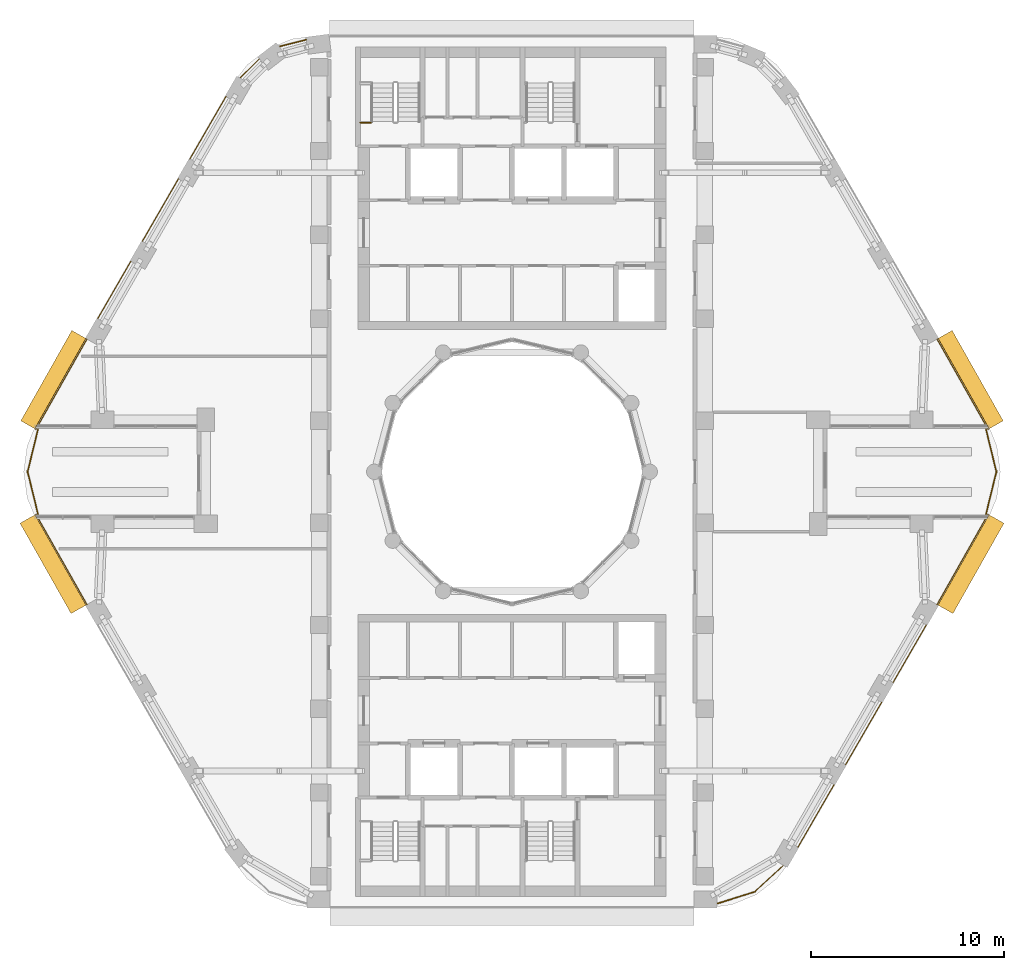
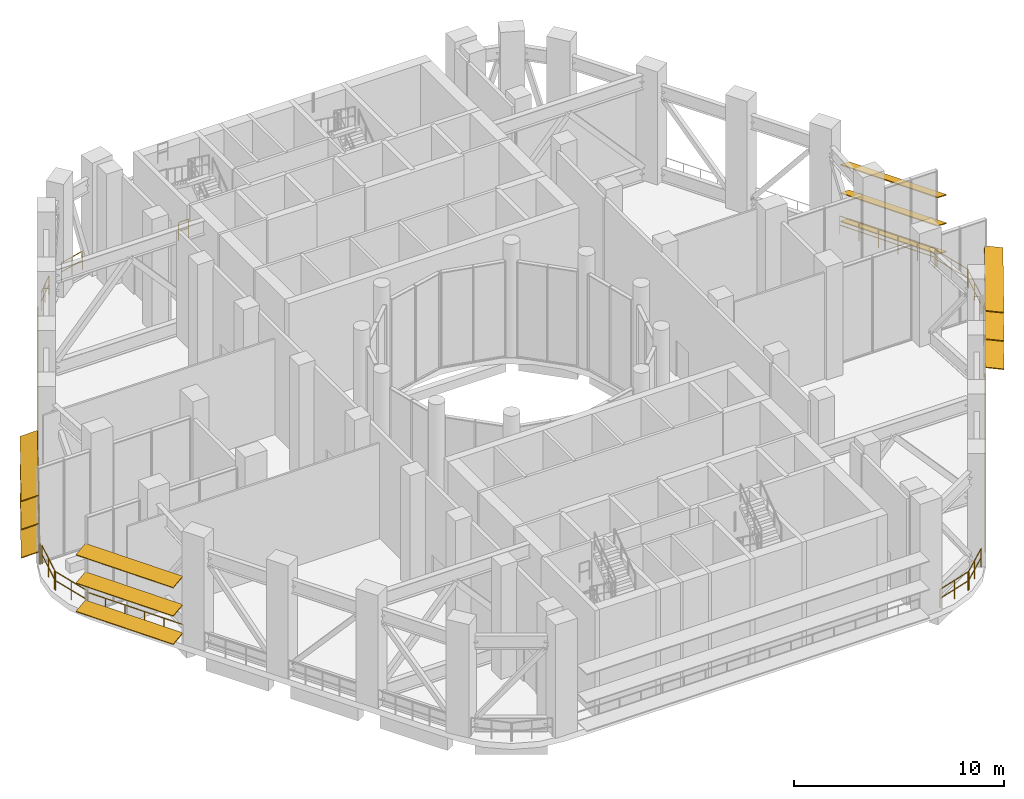
# One storey, part 17 of 19: 19 railings, 12 shading devices.
"""IFC4 building model written with IfcOpenShell, lengths in metres."""

from ifc_helpers import new_model, si_unit, direction, frame, origin, origin_2d, place, context, subcontext, project, spatial, rectangle, circle, extrude, material, material_profile, profile_set, type_object, element, save


model = new_model("IFC4")

# Units and contexts
model_context = context("Model", 3, precision=1e-05, world=origin(), true_north=direction((0.0, 1.0)))
body_context = subcontext(model_context, "Body", "Model", "MODEL_VIEW")
ifc_project = project(units=[si_unit("LENGTHUNIT", "METRE"), si_unit("AREAUNIT", "SQUARE_METRE"), si_unit("VOLUMEUNIT", "CUBIC_METRE"), si_unit("PLANEANGLEUNIT", "RADIAN"), si_unit("MASSUNIT", "GRAM", prefix="KILO")], contexts=[model_context])

# Site, building, storey
site_placement = place(None, origin())
site = spatial("IfcSite", under=ifc_project, at=site_placement, CompositionType="ELEMENT")
building_placement = place(site_placement, origin())
building = spatial("IfcBuilding", under=site, at=building_placement, Name="Nakaniwa Court", CompositionType="ELEMENT")
storey_placement = place(building_placement, frame((0.0, 0.0, 219.60009765625)))
storey = spatial("IfcBuildingStorey", under=building, at=storey_placement, Name="S4", CompositionType="ELEMENT", Elevation=219.60009765625)

# Railings
ifc_material_1 = material(Name="Black powder-coated steel flat bar balustrade S275", Category="steel")
railing_type_1 = type_object("IfcRailingType", Name="Black metal terrace guard 1100", PredefinedType="GUARDRAIL", material=ifc_material_1)
railing_1_placement = place(storey_placement, frame((104.71435546875, 82.202880859375, 0.0)))
element("IfcRailing", 1, at=railing_1_placement, inside=storey, type_object=railing_type_1, Name="S4 refuge band guard 02", PredefinedType="GUARDRAIL", context=body_context, shape_type="SweptSolid", body=[
    extrude(circle(Radius=0.02392578125, at=origin_2d()), frame((0.0, 0.0, 1.076171875), z_axis=(-0.492033360928, 0.870576344575, 0.0), x_axis=(-0.870576344575, -0.492033360928, 0.0)), (0.0, 0.0, 1.0), 5.38671875),
    extrude(circle(Radius=0.02392578125, at=origin_2d()), frame((0.0, 0.0, 0.550048828125), z_axis=(-0.492033360928, 0.870576344575, 0.0), x_axis=(-0.870576344575, -0.492033360928, 0.0)), (0.0, 0.0, 1.0), 5.38671875),
    extrude(circle(Radius=0.02099609375, at=origin_2d()), origin(), (0.0, 0.0, 1.0), 1.052001953125),
    extrude(circle(Radius=0.02099609375, at=origin_2d()), frame((-0.530029296875, 0.93798828125, 0.0)), (0.0, 0.0, 1.0), 1.052001953125),
    extrude(circle(Radius=0.02099609375, at=origin_2d()), frame((-1.06005859375, 1.875732421875, 0.0)), (0.0, 0.0, 1.0), 1.052001953125),
    extrude(circle(Radius=0.02099609375, at=origin_2d()), frame((-1.59033203125, 2.813720703125, 0.0)), (0.0, 0.0, 1.0), 1.052001953125),
    extrude(circle(Radius=0.02099609375, at=origin_2d()), frame((-2.120361328125, 3.75146484375, 0.0)), (0.0, 0.0, 1.0), 1.052001953125),
    extrude(circle(Radius=0.02099609375, at=origin_2d()), frame((-2.650390625, 4.689453125, 0.0)), (0.0, 0.0, 1.0), 1.052001953125),
])
railing_2_placement = place(storey_placement, frame((69.311279296875, 102.43017578125, 0.0)))
element("IfcRailing", 2, at=railing_2_placement, inside=storey, type_object=railing_type_1, Name="S4 refuge band guard 09", PredefinedType="GUARDRAIL", context=body_context, shape_type="SweptSolid", body=[
    extrude(circle(Radius=0.02392578125, at=origin_2d()), frame((0.0, 0.0, 1.076171875), z_axis=(-0.969037396898, -0.246914000036, 0.0), x_axis=(0.246914000036, -0.969037396898, 0.0)), (0.0, 0.0, 1.0), 1.403076171875),
    extrude(circle(Radius=0.02392578125, at=origin_2d()), frame((0.0, 0.0, 0.550048828125), z_axis=(-0.969037396898, -0.246914000036, 0.0), x_axis=(0.246914000036, -0.969037396898, 0.0)), (0.0, 0.0, 1.0), 1.403076171875),
    extrude(circle(Radius=0.02099609375, at=origin_2d()), origin(), (0.0, 0.0, 1.0), 1.052001953125),
    extrude(circle(Radius=0.02099609375, at=origin_2d()), frame((-0.6796875, -0.17333984375, 0.0)), (0.0, 0.0, 1.0), 1.052001953125),
    extrude(circle(Radius=0.02099609375, at=origin_2d()), frame((-1.359619140625, -0.346435546875, 0.0)), (0.0, 0.0, 1.0), 1.052001953125),
])
railing_3_placement = place(storey_placement, frame((66.881591796875, 101.43408203125, 0.0)))
element("IfcRailing", 3, at=railing_3_placement, inside=storey, type_object=railing_type_1, Name="S4 refuge band guard 10", PredefinedType="GUARDRAIL", context=body_context, shape_type="SweptSolid", body=[
    extrude(circle(Radius=0.02392578125, at=origin_2d()), frame((0.0, 0.0, 1.076171875), z_axis=(-0.708781025344, -0.705428563437, 0.0), x_axis=(0.705428563437, -0.708781025344, 0.0)), (0.0, 0.0, 1.0), 1.383544921875),
    extrude(circle(Radius=0.02392578125, at=origin_2d()), frame((0.0, 0.0, 0.550048828125), z_axis=(-0.708781025344, -0.705428563437, 0.0), x_axis=(0.705428563437, -0.708781025344, 0.0)), (0.0, 0.0, 1.0), 1.383544921875),
    extrude(circle(Radius=0.02099609375, at=origin_2d()), origin(), (0.0, 0.0, 1.0), 1.052001953125),
    extrude(circle(Radius=0.02099609375, at=origin_2d()), frame((-0.490234375, -0.488037109375, 0.0)), (0.0, 0.0, 1.0), 1.052001953125),
    extrude(circle(Radius=0.02099609375, at=origin_2d()), frame((-0.980712890625, -0.97607421875, 0.0)), (0.0, 0.0, 1.0), 1.052001953125),
])
for number, where, name in (
    (4, (65.152587890625, 99.4833984375, 0.0), "S4 refuge band guard 11"),
    (5, (62.684326171875, 95.20849609375, 0.0), "S4 refuge band guard 12"),
):
    element("IfcRailing", number, at=place(storey_placement, frame(where)), inside=storey, type_object=railing_type_1, Name=name, PredefinedType="GUARDRAIL", context=body_context, shape_type="SweptSolid", body=[
        extrude(circle(Radius=0.02392578125, at=origin_2d()), frame((0.0, 0.0, 1.076171875), z_axis=(-0.499982088007, -0.866035745032, 0.0), x_axis=(0.866035745032, -0.499982088007, 0.0)), (0.0, 0.0, 1.0), 3.744384765625),
        extrude(circle(Radius=0.02392578125, at=origin_2d()), frame((0.0, 0.0, 0.550048828125), z_axis=(-0.499982088007, -0.866035745032, 0.0), x_axis=(0.866035745032, -0.499982088007, 0.0)), (0.0, 0.0, 1.0), 3.744384765625),
        extrude(circle(Radius=0.02099609375, at=origin_2d()), origin(), (0.0, 0.0, 1.0), 1.052001953125),
        extrude(circle(Radius=0.02099609375, at=origin_2d()), frame((-0.468017578125, -0.810546875, 0.0)), (0.0, 0.0, 1.0), 1.052001953125),
        extrude(circle(Radius=0.02099609375, at=origin_2d()), frame((-0.93603515625, -1.621337890625, 0.0)), (0.0, 0.0, 1.0), 1.052001953125),
        extrude(circle(Radius=0.02099609375, at=origin_2d()), frame((-1.404052734375, -2.43212890625, 0.0)), (0.0, 0.0, 1.0), 1.052001953125),
        extrude(circle(Radius=0.02099609375, at=origin_2d()), frame((-1.8720703125, -3.24267578125, 0.0)), (0.0, 0.0, 1.0), 1.052001953125),
    ])
railing_4_placement = place(storey_placement, frame((60.21630859375, 90.93359375, 0.0)))
element("IfcRailing", 6, at=railing_4_placement, inside=storey, type_object=railing_type_1, Name="S4 refuge band guard 13", PredefinedType="GUARDRAIL", context=body_context, shape_type="SweptSolid", body=[
    extrude(circle(Radius=0.02392578125, at=origin_2d()), frame((0.0, 0.0, 1.076171875), z_axis=(-0.500008546953, -0.866020469142, 0.0), x_axis=(0.866020469142, -0.500008546953, 0.0)), (0.0, 0.0, 1.0), 3.447265625),
    extrude(circle(Radius=0.02392578125, at=origin_2d()), frame((0.0, 0.0, 0.550048828125), z_axis=(-0.500008546953, -0.866020469142, 0.0), x_axis=(0.866020469142, -0.500008546953, 0.0)), (0.0, 0.0, 1.0), 3.447265625),
    extrude(circle(Radius=0.02099609375, at=origin_2d()), origin(), (0.0, 0.0, 1.0), 1.052001953125),
    extrude(circle(Radius=0.02099609375, at=origin_2d()), frame((-0.574462890625, -0.9951171875, 0.0)), (0.0, 0.0, 1.0), 1.052001953125),
    extrude(circle(Radius=0.02099609375, at=origin_2d()), frame((-1.149169921875, -1.990234375, 0.0)), (0.0, 0.0, 1.0), 1.052001953125),
    extrude(circle(Radius=0.02099609375, at=origin_2d()), frame((-1.7236328125, -2.9853515625, 0.0)), (0.0, 0.0, 1.0), 1.052001953125),
])
railing_5_placement = place(storey_placement, frame((57.93603515625, 86.892333984375, 0.0)))
element("IfcRailing", 7, at=railing_5_placement, inside=storey, type_object=railing_type_1, Name="S4 refuge band guard 14", PredefinedType="GUARDRAIL", context=body_context, shape_type="SweptSolid", body=[
    extrude(circle(Radius=0.02392578125, at=origin_2d()), frame((0.0, 0.0, 1.076171875), z_axis=(-0.492033360928, -0.870576344575, 0.0), x_axis=(0.870576344575, -0.492033360928, 0.0)), (0.0, 0.0, 1.0), 5.38671875),
    extrude(circle(Radius=0.02392578125, at=origin_2d()), frame((0.0, 0.0, 0.550048828125), z_axis=(-0.492033360928, -0.870576344575, 0.0), x_axis=(0.870576344575, -0.492033360928, 0.0)), (0.0, 0.0, 1.0), 5.38671875),
    extrude(circle(Radius=0.02099609375, at=origin_2d()), origin(), (0.0, 0.0, 1.0), 1.052001953125),
    extrude(circle(Radius=0.02099609375, at=origin_2d()), frame((-0.530029296875, -0.93798828125, 0.0)), (0.0, 0.0, 1.0), 1.052001953125),
    extrude(circle(Radius=0.02099609375, at=origin_2d()), frame((-1.06005859375, -1.875732421875, 0.0)), (0.0, 0.0, 1.0), 1.052001953125),
    extrude(circle(Radius=0.02099609375, at=origin_2d()), frame((-1.59033203125, -2.813720703125, 0.0)), (0.0, 0.0, 1.0), 1.052001953125),
    extrude(circle(Radius=0.02099609375, at=origin_2d()), frame((-2.120361328125, -3.75146484375, 0.0)), (0.0, 0.0, 1.0), 1.052001953125),
    extrude(circle(Radius=0.02099609375, at=origin_2d()), frame((-2.650390625, -4.689453125, 0.0)), (0.0, 0.0, 1.0), 1.052001953125),
])
railing_6_placement = place(storey_placement, frame((55.28564453125, 77.797119140625, 0.0)))
element("IfcRailing", 8, at=railing_6_placement, inside=storey, type_object=railing_type_1, Name="S4 refuge band guard 20", PredefinedType="GUARDRAIL", context=body_context, shape_type="SweptSolid", body=[
    extrude(circle(Radius=0.02392578125, at=origin_2d()), frame((0.0, 0.0, 1.076171875), z_axis=(0.492033360928, -0.870576344575, 0.0), x_axis=(0.870576344575, 0.492033360928, 0.0)), (0.0, 0.0, 1.0), 5.38671875),
    extrude(circle(Radius=0.02392578125, at=origin_2d()), frame((0.0, 0.0, 0.550048828125), z_axis=(0.492033360928, -0.870576344575, 0.0), x_axis=(0.870576344575, 0.492033360928, 0.0)), (0.0, 0.0, 1.0), 5.38671875),
    extrude(circle(Radius=0.02099609375, at=origin_2d()), origin(), (0.0, 0.0, 1.0), 1.052001953125),
    extrude(circle(Radius=0.02099609375, at=origin_2d()), frame((0.530029296875, -0.93798828125, 0.0)), (0.0, 0.0, 1.0), 1.052001953125),
    extrude(circle(Radius=0.02099609375, at=origin_2d()), frame((1.06005859375, -1.875732421875, 0.0)), (0.0, 0.0, 1.0), 1.052001953125),
    extrude(circle(Radius=0.02099609375, at=origin_2d()), frame((1.59033203125, -2.813720703125, 0.0)), (0.0, 0.0, 1.0), 1.052001953125),
    extrude(circle(Radius=0.02099609375, at=origin_2d()), frame((2.120361328125, -3.75146484375, 0.0)), (0.0, 0.0, 1.0), 1.052001953125),
    extrude(circle(Radius=0.02099609375, at=origin_2d()), frame((2.650390625, -4.689453125, 0.0)), (0.0, 0.0, 1.0), 1.052001953125),
])
railing_7_placement = place(storey_placement, frame((90.665771484375, 57.58935546875, 0.0)))
element("IfcRailing", 9, at=railing_7_placement, inside=storey, type_object=railing_type_1, Name="S4 refuge band guard 27", PredefinedType="GUARDRAIL", context=body_context, shape_type="SweptSolid", body=[
    extrude(circle(Radius=0.02392578125, at=origin_2d()), frame((0.0, 0.0, 1.076171875), z_axis=(0.953693998252, 0.300778585836, 0.0), x_axis=(-0.300778585836, 0.953693998252, 0.0)), (0.0, 0.0, 1.0), 2.0537109375),
    extrude(circle(Radius=0.02392578125, at=origin_2d()), frame((0.0, 0.0, 0.550048828125), z_axis=(0.953693998252, 0.300778585836, 0.0), x_axis=(-0.300778585836, 0.953693998252, 0.0)), (0.0, 0.0, 1.0), 2.0537109375),
    extrude(circle(Radius=0.02099609375, at=origin_2d()), origin(), (0.0, 0.0, 1.0), 1.052001953125),
    extrude(circle(Radius=0.02099609375, at=origin_2d()), frame((0.979248046875, 0.308837890625, 0.0)), (0.0, 0.0, 1.0), 1.052001953125),
    extrude(circle(Radius=0.02099609375, at=origin_2d()), frame((1.95849609375, 0.61767578125, 0.0)), (0.0, 0.0, 1.0), 1.052001953125),
])
railing_8_placement = place(storey_placement, frame((92.561767578125, 58.170166015625, 0.0)))
element("IfcRailing", 10, at=railing_8_placement, inside=storey, type_object=railing_type_1, Name="S4 refuge band guard 28", PredefinedType="GUARDRAIL", context=body_context, shape_type="SweptSolid", body=[
    extrude(circle(Radius=0.02392578125, at=origin_2d()), frame((0.0, 0.0, 1.076171875), z_axis=(0.737653789611, 0.675179151538, 0.0), x_axis=(-0.675179151538, 0.737653789611, 0.0)), (0.0, 0.0, 1.0), 2.047607421875),
    extrude(circle(Radius=0.02392578125, at=origin_2d()), frame((0.0, 0.0, 0.550048828125), z_axis=(0.737653789611, 0.675179151538, 0.0), x_axis=(-0.675179151538, 0.737653789611, 0.0)), (0.0, 0.0, 1.0), 2.047607421875),
    extrude(circle(Radius=0.02099609375, at=origin_2d()), origin(), (0.0, 0.0, 1.0), 1.052001953125),
    extrude(circle(Radius=0.02099609375, at=origin_2d()), frame((0.75537109375, 0.69140625, 0.0)), (0.0, 0.0, 1.0), 1.052001953125),
    extrude(circle(Radius=0.02099609375, at=origin_2d()), frame((1.510498046875, 1.382568359375, 0.0)), (0.0, 0.0, 1.0), 1.052001953125),
])
for number, where, name in (
    (11, (94.847412109375, 60.5166015625, 0.0), "S4 refuge band guard 29"),
    (12, (97.315673828125, 64.79150390625, 0.0), "S4 refuge band guard 30"),
):
    element("IfcRailing", number, at=place(storey_placement, frame(where)), inside=storey, type_object=railing_type_1, Name=name, PredefinedType="GUARDRAIL", context=body_context, shape_type="SweptSolid", body=[
        extrude(circle(Radius=0.02392578125, at=origin_2d()), frame((0.0, 0.0, 1.076171875), z_axis=(0.499982088007, 0.866035745032, 0.0), x_axis=(-0.866035745032, 0.499982088007, 0.0)), (0.0, 0.0, 1.0), 3.744384765625),
        extrude(circle(Radius=0.02392578125, at=origin_2d()), frame((0.0, 0.0, 0.550048828125), z_axis=(0.499982088007, 0.866035745032, 0.0), x_axis=(-0.866035745032, 0.499982088007, 0.0)), (0.0, 0.0, 1.0), 3.744384765625),
        extrude(circle(Radius=0.02099609375, at=origin_2d()), origin(), (0.0, 0.0, 1.0), 1.052001953125),
        extrude(circle(Radius=0.02099609375, at=origin_2d()), frame((0.468017578125, 0.810546875, 0.0)), (0.0, 0.0, 1.0), 1.052001953125),
        extrude(circle(Radius=0.02099609375, at=origin_2d()), frame((0.93603515625, 1.621337890625, 0.0)), (0.0, 0.0, 1.0), 1.052001953125),
        extrude(circle(Radius=0.02099609375, at=origin_2d()), frame((1.404052734375, 2.43212890625, 0.0)), (0.0, 0.0, 1.0), 1.052001953125),
        extrude(circle(Radius=0.02099609375, at=origin_2d()), frame((1.8720703125, 3.24267578125, 0.0)), (0.0, 0.0, 1.0), 1.052001953125),
    ])
railing_9_placement = place(storey_placement, frame((99.78369140625, 69.06640625, 0.0)))
element("IfcRailing", 13, at=railing_9_placement, inside=storey, type_object=railing_type_1, Name="S4 refuge band guard 31", PredefinedType="GUARDRAIL", context=body_context, shape_type="SweptSolid", body=[
    extrude(circle(Radius=0.02392578125, at=origin_2d()), frame((0.0, 0.0, 1.076171875), z_axis=(0.500008546953, 0.866020469142, 0.0), x_axis=(-0.866020469142, 0.500008546953, 0.0)), (0.0, 0.0, 1.0), 3.447265625),
    extrude(circle(Radius=0.02392578125, at=origin_2d()), frame((0.0, 0.0, 0.550048828125), z_axis=(0.500008546953, 0.866020469142, 0.0), x_axis=(-0.866020469142, 0.500008546953, 0.0)), (0.0, 0.0, 1.0), 3.447265625),
    extrude(circle(Radius=0.02099609375, at=origin_2d()), origin(), (0.0, 0.0, 1.0), 1.052001953125),
    extrude(circle(Radius=0.02099609375, at=origin_2d()), frame((0.574462890625, 0.9951171875, 0.0)), (0.0, 0.0, 1.0), 1.052001953125),
    extrude(circle(Radius=0.02099609375, at=origin_2d()), frame((1.149169921875, 1.990234375, 0.0)), (0.0, 0.0, 1.0), 1.052001953125),
    extrude(circle(Radius=0.02099609375, at=origin_2d()), frame((1.7236328125, 2.9853515625, 0.0)), (0.0, 0.0, 1.0), 1.052001953125),
])
railing_10_placement = place(storey_placement, frame((102.06396484375, 73.107666015625, 0.0)))
element("IfcRailing", 14, at=railing_10_placement, inside=storey, type_object=railing_type_1, Name="S4 refuge band guard 32", PredefinedType="GUARDRAIL", context=body_context, shape_type="SweptSolid", body=[
    extrude(circle(Radius=0.02392578125, at=origin_2d()), frame((0.0, 0.0, 1.076171875), z_axis=(0.492033360928, 0.870576344575, 0.0), x_axis=(-0.870576344575, 0.492033360928, 0.0)), (0.0, 0.0, 1.0), 5.38671875),
    extrude(circle(Radius=0.02392578125, at=origin_2d()), frame((0.0, 0.0, 0.550048828125), z_axis=(0.492033360928, 0.870576344575, 0.0), x_axis=(-0.870576344575, 0.492033360928, 0.0)), (0.0, 0.0, 1.0), 5.38671875),
    extrude(circle(Radius=0.02099609375, at=origin_2d()), origin(), (0.0, 0.0, 1.0), 1.052001953125),
    extrude(circle(Radius=0.02099609375, at=origin_2d()), frame((0.530029296875, 0.93798828125, 0.0)), (0.0, 0.0, 1.0), 1.052001953125),
    extrude(circle(Radius=0.02099609375, at=origin_2d()), frame((1.06005859375, 1.875732421875, 0.0)), (0.0, 0.0, 1.0), 1.052001953125),
    extrude(circle(Radius=0.02099609375, at=origin_2d()), frame((1.59033203125, 2.813720703125, 0.0)), (0.0, 0.0, 1.0), 1.052001953125),
    extrude(circle(Radius=0.02099609375, at=origin_2d()), frame((2.120361328125, 3.75146484375, 0.0)), (0.0, 0.0, 1.0), 1.052001953125),
    extrude(circle(Radius=0.02099609375, at=origin_2d()), frame((2.650390625, 4.689453125, 0.0)), (0.0, 0.0, 1.0), 1.052001953125),
])
railing_11_placement = place(storey_placement, frame((55.394775390625, 82.202880859375, 0.0)))
element("IfcRailing", 15, at=railing_11_placement, inside=storey, type_object=railing_type_1, Name="S4 sky garden terrace 1 guard 1", PredefinedType="GUARDRAIL", context=body_context, shape_type="SweptSolid", body=[
    extrude(circle(Radius=0.02392578125, at=origin_2d()), frame((0.0, 0.0, 1.076171875), z_axis=(-0.23806960175, -0.971248096381, 0.0), x_axis=(0.971248096381, -0.23806960175, 0.0)), (0.0, 0.0, 1.0), 2.316650390625),
    extrude(circle(Radius=0.02392578125, at=origin_2d()), frame((0.0, 0.0, 0.550048828125), z_axis=(-0.23806960175, -0.971248096381, 0.0), x_axis=(0.971248096381, -0.23806960175, 0.0)), (0.0, 0.0, 1.0), 2.316650390625),
    extrude(circle(Radius=0.02099609375, at=origin_2d()), origin(), (0.0, 0.0, 1.0), 1.052001953125),
    extrude(circle(Radius=0.02099609375, at=origin_2d()), frame((-0.27587890625, -1.125, 0.0)), (0.0, 0.0, 1.0), 1.052001953125),
    extrude(circle(Radius=0.02099609375, at=origin_2d()), frame((-0.551513671875, -2.25, 0.0)), (0.0, 0.0, 1.0), 1.052001953125),
])
railing_12_placement = place(storey_placement, frame((54.84326171875, 80.047119140625, 0.0)))
element("IfcRailing", 16, at=railing_12_placement, inside=storey, type_object=railing_type_1, Name="S4 sky garden terrace 1 guard 2", PredefinedType="GUARDRAIL", context=body_context, shape_type="SweptSolid", body=[
    extrude(circle(Radius=0.02392578125, at=origin_2d()), frame((0.0, 0.0, 1.076171875), z_axis=(0.23806960175, -0.971248096381, 0.0), x_axis=(0.971248096381, 0.23806960175, 0.0)), (0.0, 0.0, 1.0), 2.316650390625),
    extrude(circle(Radius=0.02392578125, at=origin_2d()), frame((0.0, 0.0, 0.550048828125), z_axis=(0.23806960175, -0.971248096381, 0.0), x_axis=(0.971248096381, 0.23806960175, 0.0)), (0.0, 0.0, 1.0), 2.316650390625),
    extrude(circle(Radius=0.02099609375, at=origin_2d()), origin(), (0.0, 0.0, 1.0), 1.052001953125),
    extrude(circle(Radius=0.02099609375, at=origin_2d()), frame((0.27587890625, -1.125, 0.0)), (0.0, 0.0, 1.0), 1.052001953125),
    extrude(circle(Radius=0.02099609375, at=origin_2d()), frame((0.551513671875, -2.25, 0.0)), (0.0, 0.0, 1.0), 1.052001953125),
])
railing_13_placement = place(storey_placement, frame((104.605224609375, 77.797119140625, 0.0)))
element("IfcRailing", 17, at=railing_13_placement, inside=storey, type_object=railing_type_1, Name="S4 sky garden terrace 2 guard 1", PredefinedType="GUARDRAIL", context=body_context, shape_type="SweptSolid", body=[
    extrude(circle(Radius=0.02392578125, at=origin_2d()), frame((0.0, 0.0, 1.076171875), z_axis=(0.23806960175, 0.971248096381, 0.0), x_axis=(-0.971248096381, 0.23806960175, 0.0)), (0.0, 0.0, 1.0), 2.316650390625),
    extrude(circle(Radius=0.02392578125, at=origin_2d()), frame((0.0, 0.0, 0.550048828125), z_axis=(0.23806960175, 0.971248096381, 0.0), x_axis=(-0.971248096381, 0.23806960175, 0.0)), (0.0, 0.0, 1.0), 2.316650390625),
    extrude(circle(Radius=0.02099609375, at=origin_2d()), origin(), (0.0, 0.0, 1.0), 1.052001953125),
    extrude(circle(Radius=0.02099609375, at=origin_2d()), frame((0.27587890625, 1.125, 0.0)), (0.0, 0.0, 1.0), 1.052001953125),
    extrude(circle(Radius=0.02099609375, at=origin_2d()), frame((0.551513671875, 2.25, 0.0)), (0.0, 0.0, 1.0), 1.052001953125),
])
railing_14_placement = place(storey_placement, frame((105.15673828125, 79.952880859375, 0.0)))
element("IfcRailing", 18, at=railing_14_placement, inside=storey, type_object=railing_type_1, Name="S4 sky garden terrace 2 guard 2", PredefinedType="GUARDRAIL", context=body_context, shape_type="SweptSolid", body=[
    extrude(circle(Radius=0.02392578125, at=origin_2d()), frame((0.0, 0.0, 1.076171875), z_axis=(-0.23806960175, 0.971248096381, 0.0), x_axis=(-0.971248096381, -0.23806960175, 0.0)), (0.0, 0.0, 1.0), 2.316650390625),
    extrude(circle(Radius=0.02392578125, at=origin_2d()), frame((0.0, 0.0, 0.550048828125), z_axis=(-0.23806960175, 0.971248096381, 0.0), x_axis=(-0.971248096381, -0.23806960175, 0.0)), (0.0, 0.0, 1.0), 2.316650390625),
    extrude(circle(Radius=0.02099609375, at=origin_2d()), origin(), (0.0, 0.0, 1.0), 1.052001953125),
    extrude(circle(Radius=0.02099609375, at=origin_2d()), frame((-0.27587890625, 1.125, 0.0)), (0.0, 0.0, 1.0), 1.052001953125),
    extrude(circle(Radius=0.02099609375, at=origin_2d()), frame((-0.551513671875, 2.25, 0.0)), (0.0, 0.0, 1.0), 1.052001953125),
])

# Shading devices
ifc_material_2 = material(Name="Perforated charcoal ceramic louvre blade")
ifc_material_profile = material_profile(ifc_material_2, rectangle(XDim=0.89990234375, YDim=0.050048828125, at=origin_2d()), Name="Perforated ceramic louvre blade")
ifc_profile_set = profile_set([ifc_material_profile], Name="Perforated charcoal ceramic louvre blade")
shading_device_type = type_object("IfcShadingDeviceType", Name="Perforated ceramic louvre blade", PredefinedType="JALOUSIE", material=ifc_profile_set)
for number, where, z_axis, x_axis, name in (
    (19, (105.12841796875, 82.436767578125, 0.5498046875), (-0.492033360928, 0.870576344575, 0.0), (-0.804887906334, -0.454907492251, 0.38107037635), "S4 perforated ceramic louvre blade s02 1"),
    (20, (105.12841796875, 82.436767578125, 2.199951171875), (-0.492033360928, 0.870576344575, 0.0), (-0.804887906334, -0.454907492251, 0.38107037635), "S4 perforated ceramic louvre blade s02 2"),
    (21, (105.12841796875, 82.436767578125, 3.849853515625), (-0.492033360928, 0.870576344575, 0.0), (-0.804887906334, -0.454907492251, 0.38107037635), "S4 perforated ceramic louvre blade s02 3"),
    (22, (57.52197265625, 87.126220703125, 0.5498046875), (-0.492033360928, -0.870576344575, 0.0), (0.804887906334, -0.454907492251, 0.38107037635), "S4 perforated ceramic louvre blade s14 1"),
    (23, (57.52197265625, 87.126220703125, 2.199951171875), (-0.492033360928, -0.870576344575, 0.0), (0.804887906334, -0.454907492251, 0.38107037635), "S4 perforated ceramic louvre blade s14 2"),
    (24, (57.52197265625, 87.126220703125, 3.849853515625), (-0.492033360928, -0.870576344575, 0.0), (0.804887906334, -0.454907492251, 0.38107037635), "S4 perforated ceramic louvre blade s14 3"),
    (25, (54.850830078125, 77.551513671875, 0.5498046875), (0.492033360928, -0.870576344575, 0.0), (0.862928801718, 0.487711113674, 0.132256390257), "S4 perforated ceramic louvre blade s20 1"),
    (26, (54.850830078125, 77.551513671875, 2.199951171875), (0.492033360928, -0.870576344575, 0.0), (0.862928801718, 0.487711113674, 0.132256390257), "S4 perforated ceramic louvre blade s20 2"),
    (27, (54.850830078125, 77.551513671875, 3.849853515625), (0.492033360928, -0.870576344575, 0.0), (0.862928801718, 0.487711113674, 0.132256390257), "S4 perforated ceramic louvre blade s20 3"),
    (28, (102.498779296875, 72.862060546875, 0.5498046875), (0.492033360928, 0.870576344575, 0.0), (-0.862928801718, 0.487711113674, 0.132256390257), "S4 perforated ceramic louvre blade s32 1"),
    (29, (102.498779296875, 72.862060546875, 2.199951171875), (0.492033360928, 0.870576344575, 0.0), (-0.862928801718, 0.487711113674, 0.132256390257), "S4 perforated ceramic louvre blade s32 2"),
    (30, (102.498779296875, 72.862060546875, 3.849853515625), (0.492033360928, 0.870576344575, 0.0), (-0.862928801718, 0.487711113674, 0.132256390257), "S4 perforated ceramic louvre blade s32 3"),
):
    element("IfcShadingDevice", number, at=place(storey_placement, frame(where, z_axis=z_axis, x_axis=x_axis)), inside=storey, type_object=shading_device_type, Name=name, PredefinedType="JALOUSIE", context=body_context, shape_type="SweptSolid", body=[
        extrude(rectangle(XDim=0.89990234375, YDim=0.050048828125, at=origin_2d()), origin(), (0.0, 0.0, 1.0), 5.38671875),
    ])

# Railing
ifc_material_3 = material(Name="Black powder coated steel guard", Category="steel")
railing_type_2 = type_object("IfcRailingType", Name="Stair guard 1100", PredefinedType="GUARDRAIL", material=ifc_material_3)
railing_15_placement = place(storey_placement, frame((72.125, 98.125, 3.2998046875)))
element("IfcRailing", 31, at=railing_15_placement, inside=storey, type_object=railing_type_2, Name="S4 ST1 landing side guard 2W", PredefinedType="GUARDRAIL", context=body_context, shape_type="SweptSolid", body=[
    extrude(circle(Radius=0.02392578125, at=origin_2d()), frame((0.0, 0.0, 1.076171875), z_axis=(1.0, 0.0, 0.0), x_axis=(0.0, 1.0, 0.0)), (0.0, 0.0, 1.0), 0.550048828125),
    extrude(circle(Radius=0.02392578125, at=origin_2d()), frame((0.0, 0.0, 0.550048828125), z_axis=(1.0, 0.0, 0.0), x_axis=(0.0, 1.0, 0.0)), (0.0, 0.0, 1.0), 0.550048828125),
    extrude(circle(Radius=0.02099609375, at=origin_2d()), origin(), (0.0, 0.0, 1.0), 1.052001953125),
    extrude(circle(Radius=0.02099609375, at=origin_2d()), frame((0.550048828125, 0.0, 0.0)), (0.0, 0.0, 1.0), 1.052001953125),
])

save(model, "model.ifc")
